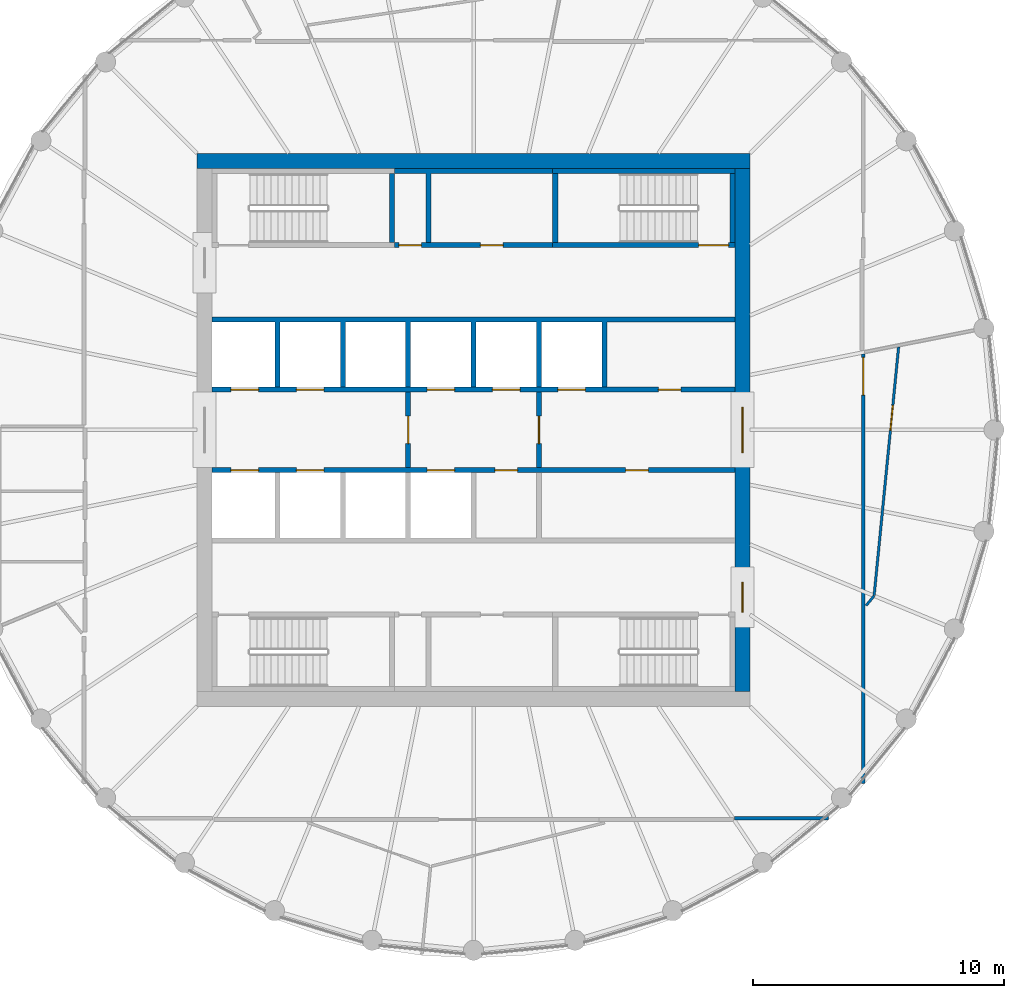
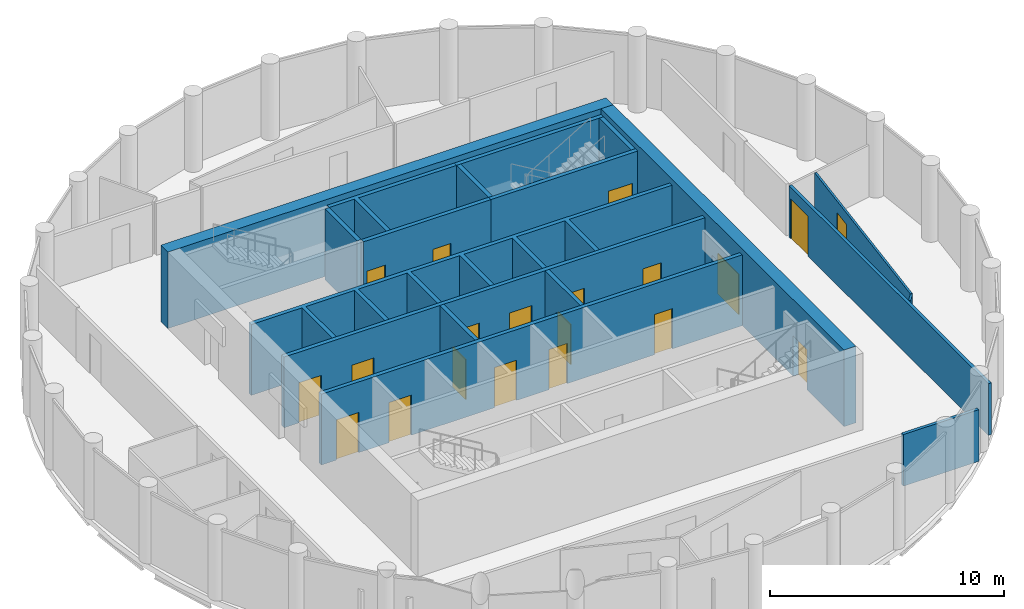
# One storey, part 5 of 7: 20 doors, 18 walls, 20 openings.
"""IFC4 building model written with IfcOpenShell, lengths in metres."""

from ifc_helpers import new_model, si_unit, direction, frame, frame_2d, origin, place, context, subcontext, project, spatial, polyline, rectangle, outline, extrude, material, layer, layer_set, type_object, element, fill, save


model = new_model("IFC4")

# Units and contexts
model_context = context("Model", 3, precision=1e-05, world=origin(), true_north=direction((0.0, 1.0)))
body_context = subcontext(model_context, "Body", "Model", "MODEL_VIEW")
ifc_project = project(units=[si_unit("LENGTHUNIT", "METRE"), si_unit("AREAUNIT", "SQUARE_METRE"), si_unit("VOLUMEUNIT", "CUBIC_METRE"), si_unit("PLANEANGLEUNIT", "RADIAN"), si_unit("MASSUNIT", "GRAM", prefix="KILO")], contexts=[model_context])

# Site, building, storey
site_placement = place(None, origin())
site = spatial("IfcSite", under=ifc_project, at=site_placement, CompositionType="ELEMENT")
building_placement = place(site_placement, origin())
building = spatial("IfcBuilding", under=site, at=building_placement, Name="Corvane Civic Tower", CompositionType="ELEMENT")
storey_placement = place(building_placement, frame((0.0, 0.0, 348.5)))
storey = spatial("IfcBuildingStorey", under=building, at=storey_placement, Name="L83", CompositionType="ELEMENT", Elevation=348.5)

# Wall
ifc_material_1 = material(Name="Concrete C40/50", Category="concrete")
ifc_layer_1 = layer(ifc_material_1, 0.60009765625)
ifc_layer_set_1 = layer_set([ifc_layer_1], Name="Concrete C40/50")
wall_type_1 = type_object("IfcWallType", Name="CORE WALL 600 C40/50", PredefinedType="SHEAR", material=ifc_layer_set_1)
wall_1_placement = place(storey_placement, frame((-11.0, 10.699951171875, 0.0), z_axis=(0.0, 0.0, 1.0), x_axis=(1.0, 0.0, 0.0)))
element("IfcWall", 1, at=wall_1_placement, inside=storey, type_object=wall_type_1, Name="W-L83-core-N", PredefinedType="SHEAR", context=body_context, shape_type="SweptSolid", body=[
    extrude(rectangle(XDim=22.0, YDim=0.60009765625, at=frame_2d((11.0, 0.0))), origin(), (0.0, 0.0, 1.0), 4.0),
])

# Wall, openings, doors
wall_2_placement = place(storey_placement, frame((10.699951171875, -10.39990234375, 0.0), z_axis=(0.0, 0.0, 1.0), x_axis=(0.0, 1.0, 0.0)))
wall_2 = element("IfcWall", 2, at=wall_2_placement, inside=storey, type_object=wall_type_1, Name="W-L83-core-E", PredefinedType="SHEAR", context=body_context, shape_type="SweptSolid", body=[
    extrude(rectangle(XDim=20.7998046875, YDim=0.60009765625, at=frame_2d((10.39990234375, 0.0))), origin(), (0.0, 0.0, 1.0), 4.0),
])
opening_1_placement = place(wall_2_placement, frame((9.5, 0.0, 0.0)))
opening_1 = element("IfcOpeningElement", 3, at=opening_1_placement, cuts=wall_2, Name="Opening L83.C15", PredefinedType="OPENING", context=body_context, shape_type="SweptSolid", body=[
    extrude(rectangle(XDim=1.800048828125, YDim=2.10009765625, at=frame_2d((0.89990234375, 1.050048828125))), frame((0.0, 0.31005859375, 0.0), z_axis=(0.0, -1.0, 0.0), x_axis=(1.0, 0.0, 0.0)), (0.0, 0.0, 1.0), 0.6201171875),
])
opening_2_placement = place(wall_2_placement, frame((3.14990234375, 0.0, 0.0)))
opening_2 = element("IfcOpeningElement", 4, at=opening_2_placement, cuts=wall_2, Name="Opening L83.C17", PredefinedType="OPENING", context=body_context, shape_type="SweptSolid", body=[
    extrude(rectangle(XDim=1.199951171875, YDim=2.10009765625, at=frame_2d((0.60009765625, 1.050048828125))), frame((0.0, 0.31005859375, 0.0), z_axis=(0.0, -1.0, 0.0), x_axis=(1.0, 0.0, 0.0)), (0.0, 0.0, 1.0), 0.6201171875),
])
ifc_material_2 = material(Name="Steel fire door leaf", Category="steel")
door_type_1 = type_object("IfcDoorType", Name="CR-DOOR-CORE-1800", OperationType="DOUBLE_DOOR_SINGLE_SWING", PredefinedType="DOOR", material=ifc_material_2)
door_1_placement = place(opening_1_placement, origin())
door_1 = element("IfcDoor", 5, at=door_1_placement, inside=storey, type_object=door_type_1, Name="L83 door", OperationType="DOUBLE_DOOR_SINGLE_SWING", OverallHeight=2.10009765625, OverallWidth=1.800048828125, PredefinedType="DOOR", context=body_context, shape_type="SweptSolid", body=[
    extrude(rectangle(XDim=1.800048828125, YDim=2.10009765625, at=frame_2d((0.89990234375, 1.050048828125))), frame((0.0, 0.02490234375, 0.0), z_axis=(0.0, -1.0, 0.0), x_axis=(1.0, 0.0, 0.0)), (0.0, 0.0, 1.0), 0.050048828125),
])
fill(opening_1, door_1)
door_2_placement = place(opening_2_placement, origin())
door_2 = element("IfcDoor", 6, at=door_2_placement, inside=storey, type_object=door_type_1, Name="L83 door", OperationType="DOUBLE_DOOR_SINGLE_SWING", OverallHeight=2.10009765625, OverallWidth=1.199951171875, PredefinedType="DOOR", context=body_context, shape_type="SweptSolid", body=[
    extrude(rectangle(XDim=1.199951171875, YDim=2.10009765625, at=frame_2d((0.60009765625, 1.050048828125))), frame((0.0, 0.02490234375, 0.0), z_axis=(0.0, -1.0, 0.0), x_axis=(1.0, 0.0, 0.0)), (0.0, 0.0, 1.0), 0.050048828125),
])
fill(opening_2, door_2)

ifc_material_3 = material(Name="Concrete C30/37", Category="concrete")
ifc_layer_2 = layer(ifc_material_3, 0.199951171875)
ifc_layer_set_2 = layer_set([ifc_layer_2], Name="Concrete C30/37")
wall_type_2 = type_object("IfcWallType", Name="CR-WALL-200", PredefinedType="PARTITIONING", material=ifc_layer_set_2)
wall_3_placement = place(storey_placement, frame((-10.39990234375, -1.60009765625, 0.0), z_axis=(0.0, 0.0, 1.0), x_axis=(1.0, 0.0, 0.0)))
wall_3 = element("IfcWall", 7, at=wall_3_placement, inside=storey, type_object=wall_type_2, Name="L83 lift shaft wall", PredefinedType="PARTITIONING", context=body_context, shape_type="SweptSolid", body=[
    extrude(rectangle(XDim=20.7998046875, YDim=0.199951171875, at=frame_2d((10.39990234375, 0.0))), origin(), (0.0, 0.0, 1.0), 3.699951171875),
])
opening_3_placement = place(wall_3_placement, frame((0.75, 0.0, 0.0)))
opening_3 = element("IfcOpeningElement", 8, at=opening_3_placement, cuts=wall_3, Name="Opening LD", PredefinedType="OPENING", context=body_context, shape_type="SweptSolid", body=[
    extrude(rectangle(XDim=1.10009765625, YDim=2.10009765625, at=frame_2d((0.550048828125, 1.050048828125))), frame((0.0, 0.10986328125, 0.0), z_axis=(0.0, -1.0, 0.0), x_axis=(1.0, 0.0, 0.0)), (0.0, 0.0, 1.0), 0.219970703125),
])
opening_4_placement = place(wall_3_placement, frame((3.35009765625, 0.0, 0.0)))
opening_4 = element("IfcOpeningElement", 9, at=opening_4_placement, cuts=wall_3, Name="Opening LD", PredefinedType="OPENING", context=body_context, shape_type="SweptSolid", body=[
    extrude(rectangle(XDim=1.10009765625, YDim=2.10009765625, at=frame_2d((0.550048828125, 1.050048828125))), frame((0.0, 0.10986328125, 0.0), z_axis=(0.0, -1.0, 0.0), x_axis=(1.0, 0.0, 0.0)), (0.0, 0.0, 1.0), 0.219970703125),
])
opening_5_placement = place(wall_3_placement, frame((8.550048828125, 0.0, 0.0)))
opening_5 = element("IfcOpeningElement", 10, at=opening_5_placement, cuts=wall_3, Name="Opening LD", PredefinedType="OPENING", context=body_context, shape_type="SweptSolid", body=[
    extrude(rectangle(XDim=1.10009765625, YDim=2.10009765625, at=frame_2d((0.550048828125, 1.050048828125))), frame((0.0, 0.10986328125, 0.0), z_axis=(0.0, -1.0, 0.0), x_axis=(1.0, 0.0, 0.0)), (0.0, 0.0, 1.0), 0.219970703125),
])
opening_6_placement = place(wall_3_placement, frame((11.25, 0.0, 0.0)))
opening_6 = element("IfcOpeningElement", 11, at=opening_6_placement, cuts=wall_3, Name="Opening L83.C02", PredefinedType="OPENING", context=body_context, shape_type="SweptSolid", body=[
    extrude(rectangle(XDim=0.89990234375, YDim=2.10009765625, at=frame_2d((0.449951171875, 1.050048828125))), frame((0.0, 0.10986328125, 0.0), z_axis=(0.0, -1.0, 0.0), x_axis=(1.0, 0.0, 0.0)), (0.0, 0.0, 1.0), 0.219970703125),
])
opening_7_placement = place(wall_3_placement, frame((16.449951171875, 0.0, 0.0)))
opening_7 = element("IfcOpeningElement", 12, at=opening_7_placement, cuts=wall_3, Name="Opening L83.C03", PredefinedType="OPENING", context=body_context, shape_type="SweptSolid", body=[
    extrude(rectangle(XDim=0.89990234375, YDim=2.10009765625, at=frame_2d((0.449951171875, 1.050048828125))), frame((0.0, 0.10986328125, 0.0), z_axis=(0.0, -1.0, 0.0), x_axis=(1.0, 0.0, 0.0)), (0.0, 0.0, 1.0), 0.219970703125),
])
ifc_material_4 = material(Name="Steel fire door leaf", Category="steel")
door_type_2 = type_object("IfcDoorType", Name="CR-DOOR-900", OperationType="SINGLE_SWING_LEFT", PredefinedType="DOOR", material=ifc_material_4)
door_3_placement = place(opening_6_placement, origin())
door_3 = element("IfcDoor", 13, at=door_3_placement, inside=storey, type_object=door_type_2, Name="L83 door", OperationType="SINGLE_SWING_LEFT", OverallHeight=2.10009765625, OverallWidth=0.89990234375, PredefinedType="DOOR", context=body_context, shape_type="SweptSolid", body=[
    extrude(rectangle(XDim=0.89990234375, YDim=2.10009765625, at=frame_2d((0.449951171875, 1.050048828125))), frame((0.0, 0.02490234375, 0.0), z_axis=(0.0, -1.0, 0.0), x_axis=(1.0, 0.0, 0.0)), (0.0, 0.0, 1.0), 0.050048828125),
])
fill(opening_6, door_3)
door_4_placement = place(opening_7_placement, origin())
door_4 = element("IfcDoor", 14, at=door_4_placement, inside=storey, type_object=door_type_2, Name="L83 door", OperationType="SINGLE_SWING_LEFT", OverallHeight=2.10009765625, OverallWidth=0.89990234375, PredefinedType="DOOR", context=body_context, shape_type="SweptSolid", body=[
    extrude(rectangle(XDim=0.89990234375, YDim=2.10009765625, at=frame_2d((0.449951171875, 1.050048828125))), frame((0.0, 0.02490234375, 0.0), z_axis=(0.0, -1.0, 0.0), x_axis=(1.0, 0.0, 0.0)), (0.0, 0.0, 1.0), 0.050048828125),
])
fill(opening_7, door_4)
ifc_material_5 = material(Name="Stainless steel 316 door leaves", Category="steel")
door_type_3 = type_object("IfcDoorType", Name="LD", OperationType="DOUBLE_DOOR_SLIDING", PredefinedType="DOOR", material=ifc_material_5)
door_5_placement = place(opening_3_placement, origin())
door_5 = element("IfcDoor", 15, at=door_5_placement, inside=storey, type_object=door_type_3, Name="L83 landing door", OperationType="DOUBLE_DOOR_SLIDING", OverallHeight=2.10009765625, OverallWidth=1.10009765625, PredefinedType="DOOR", context=body_context, shape_type="SweptSolid", body=[
    extrude(rectangle(XDim=1.10009765625, YDim=2.10009765625, at=frame_2d((0.550048828125, 1.050048828125))), frame((0.0, 0.02490234375, 0.0), z_axis=(0.0, -1.0, 0.0), x_axis=(1.0, 0.0, 0.0)), (0.0, 0.0, 1.0), 0.050048828125),
])
fill(opening_3, door_5)
door_6_placement = place(opening_4_placement, origin())
door_6 = element("IfcDoor", 16, at=door_6_placement, inside=storey, type_object=door_type_3, Name="L83 landing door", OperationType="DOUBLE_DOOR_SLIDING", OverallHeight=2.10009765625, OverallWidth=1.10009765625, PredefinedType="DOOR", context=body_context, shape_type="SweptSolid", body=[
    extrude(rectangle(XDim=1.10009765625, YDim=2.10009765625, at=frame_2d((0.550048828125, 1.050048828125))), frame((0.0, 0.02490234375, 0.0), z_axis=(0.0, -1.0, 0.0), x_axis=(1.0, 0.0, 0.0)), (0.0, 0.0, 1.0), 0.050048828125),
])
fill(opening_4, door_6)
door_7_placement = place(opening_5_placement, origin())
door_7 = element("IfcDoor", 17, at=door_7_placement, inside=storey, type_object=door_type_3, Name="L83 landing door", OperationType="DOUBLE_DOOR_SLIDING", OverallHeight=2.10009765625, OverallWidth=1.10009765625, PredefinedType="DOOR", context=body_context, shape_type="SweptSolid", body=[
    extrude(rectangle(XDim=1.10009765625, YDim=2.10009765625, at=frame_2d((0.550048828125, 1.050048828125))), frame((0.0, 0.02490234375, 0.0), z_axis=(0.0, -1.0, 0.0), x_axis=(1.0, 0.0, 0.0)), (0.0, 0.0, 1.0), 0.050048828125),
])
fill(opening_5, door_7)

wall_4_placement = place(storey_placement, frame((-10.39990234375, 1.60009765625, 0.0), z_axis=(0.0, 0.0, 1.0), x_axis=(1.0, 0.0, 0.0)))
wall_4 = element("IfcWall", 18, at=wall_4_placement, inside=storey, type_object=wall_type_2, Name="L83 lift shaft wall", PredefinedType="PARTITIONING", context=body_context, shape_type="SweptSolid", body=[
    extrude(rectangle(XDim=20.7998046875, YDim=0.199951171875, at=frame_2d((10.39990234375, 0.0))), origin(), (0.0, 0.0, 1.0), 3.699951171875),
])
opening_8_placement = place(wall_4_placement, frame((0.75, 0.0, 0.0)))
opening_8 = element("IfcOpeningElement", 19, at=opening_8_placement, cuts=wall_4, Name="Opening LD", PredefinedType="OPENING", context=body_context, shape_type="SweptSolid", body=[
    extrude(rectangle(XDim=1.10009765625, YDim=2.10009765625, at=frame_2d((0.550048828125, 1.050048828125))), frame((0.0, 0.10986328125, 0.0), z_axis=(0.0, -1.0, 0.0), x_axis=(1.0, 0.0, 0.0)), (0.0, 0.0, 1.0), 0.219970703125),
])
opening_9_placement = place(wall_4_placement, frame((3.35009765625, 0.0, 0.0)))
opening_9 = element("IfcOpeningElement", 20, at=opening_9_placement, cuts=wall_4, Name="Opening LD", PredefinedType="OPENING", context=body_context, shape_type="SweptSolid", body=[
    extrude(rectangle(XDim=1.10009765625, YDim=2.10009765625, at=frame_2d((0.550048828125, 1.050048828125))), frame((0.0, 0.10986328125, 0.0), z_axis=(0.0, -1.0, 0.0), x_axis=(1.0, 0.0, 0.0)), (0.0, 0.0, 1.0), 0.219970703125),
])
opening_10_placement = place(wall_4_placement, frame((8.550048828125, 0.0, 0.0)))
opening_10 = element("IfcOpeningElement", 21, at=opening_10_placement, cuts=wall_4, Name="Opening LD", PredefinedType="OPENING", context=body_context, shape_type="SweptSolid", body=[
    extrude(rectangle(XDim=1.10009765625, YDim=2.10009765625, at=frame_2d((0.550048828125, 1.050048828125))), frame((0.0, 0.10986328125, 0.0), z_axis=(0.0, -1.0, 0.0), x_axis=(1.0, 0.0, 0.0)), (0.0, 0.0, 1.0), 0.219970703125),
])
opening_11_placement = place(wall_4_placement, frame((11.14990234375, 0.0, 0.0)))
opening_11 = element("IfcOpeningElement", 22, at=opening_11_placement, cuts=wall_4, Name="Opening LD", PredefinedType="OPENING", context=body_context, shape_type="SweptSolid", body=[
    extrude(rectangle(XDim=1.10009765625, YDim=2.10009765625, at=frame_2d((0.550048828125, 1.050048828125))), frame((0.0, 0.10986328125, 0.0), z_axis=(0.0, -1.0, 0.0), x_axis=(1.0, 0.0, 0.0)), (0.0, 0.0, 1.0), 0.219970703125),
])
opening_12_placement = place(wall_4_placement, frame((13.75, 0.0, 0.0)))
opening_12 = element("IfcOpeningElement", 23, at=opening_12_placement, cuts=wall_4, Name="Opening LD", PredefinedType="OPENING", context=body_context, shape_type="SweptSolid", body=[
    extrude(rectangle(XDim=1.10009765625, YDim=2.10009765625, at=frame_2d((0.550048828125, 1.050048828125))), frame((0.0, 0.10986328125, 0.0), z_axis=(0.0, -1.0, 0.0), x_axis=(1.0, 0.0, 0.0)), (0.0, 0.0, 1.0), 0.219970703125),
])
opening_13_placement = place(wall_4_placement, frame((17.75, 0.0, 0.0)))
opening_13 = element("IfcOpeningElement", 24, at=opening_13_placement, cuts=wall_4, Name="Opening L83.C01", PredefinedType="OPENING", context=body_context, shape_type="SweptSolid", body=[
    extrude(rectangle(XDim=0.89990234375, YDim=2.10009765625, at=frame_2d((0.449951171875, 1.050048828125))), frame((0.0, 0.10986328125, 0.0), z_axis=(0.0, -1.0, 0.0), x_axis=(1.0, 0.0, 0.0)), (0.0, 0.0, 1.0), 0.219970703125),
])
door_8_placement = place(opening_13_placement, origin())
door_8 = element("IfcDoor", 25, at=door_8_placement, inside=storey, type_object=door_type_2, Name="L83 door", OperationType="SINGLE_SWING_LEFT", OverallHeight=2.10009765625, OverallWidth=0.89990234375, PredefinedType="DOOR", context=body_context, shape_type="SweptSolid", body=[
    extrude(rectangle(XDim=0.89990234375, YDim=2.10009765625, at=frame_2d((0.449951171875, 1.050048828125))), frame((0.0, 0.02490234375, 0.0), z_axis=(0.0, -1.0, 0.0), x_axis=(1.0, 0.0, 0.0)), (0.0, 0.0, 1.0), 0.050048828125),
])
fill(opening_13, door_8)
door_9_placement = place(opening_8_placement, origin())
door_9 = element("IfcDoor", 26, at=door_9_placement, inside=storey, type_object=door_type_3, Name="L83 landing door", OperationType="DOUBLE_DOOR_SLIDING", OverallHeight=2.10009765625, OverallWidth=1.10009765625, PredefinedType="DOOR", context=body_context, shape_type="SweptSolid", body=[
    extrude(rectangle(XDim=1.10009765625, YDim=2.10009765625, at=frame_2d((0.550048828125, 1.050048828125))), frame((0.0, 0.02490234375, 0.0), z_axis=(0.0, -1.0, 0.0), x_axis=(1.0, 0.0, 0.0)), (0.0, 0.0, 1.0), 0.050048828125),
])
fill(opening_8, door_9)
door_10_placement = place(opening_9_placement, origin())
door_10 = element("IfcDoor", 27, at=door_10_placement, inside=storey, type_object=door_type_3, Name="L83 landing door", OperationType="DOUBLE_DOOR_SLIDING", OverallHeight=2.10009765625, OverallWidth=1.10009765625, PredefinedType="DOOR", context=body_context, shape_type="SweptSolid", body=[
    extrude(rectangle(XDim=1.10009765625, YDim=2.10009765625, at=frame_2d((0.550048828125, 1.050048828125))), frame((0.0, 0.02490234375, 0.0), z_axis=(0.0, -1.0, 0.0), x_axis=(1.0, 0.0, 0.0)), (0.0, 0.0, 1.0), 0.050048828125),
])
fill(opening_9, door_10)
door_11_placement = place(opening_10_placement, origin())
door_11 = element("IfcDoor", 28, at=door_11_placement, inside=storey, type_object=door_type_3, Name="L83 landing door", OperationType="DOUBLE_DOOR_SLIDING", OverallHeight=2.10009765625, OverallWidth=1.10009765625, PredefinedType="DOOR", context=body_context, shape_type="SweptSolid", body=[
    extrude(rectangle(XDim=1.10009765625, YDim=2.10009765625, at=frame_2d((0.550048828125, 1.050048828125))), frame((0.0, 0.02490234375, 0.0), z_axis=(0.0, -1.0, 0.0), x_axis=(1.0, 0.0, 0.0)), (0.0, 0.0, 1.0), 0.050048828125),
])
fill(opening_10, door_11)
door_12_placement = place(opening_11_placement, origin())
door_12 = element("IfcDoor", 29, at=door_12_placement, inside=storey, type_object=door_type_3, Name="L83 landing door", OperationType="DOUBLE_DOOR_SLIDING", OverallHeight=2.10009765625, OverallWidth=1.10009765625, PredefinedType="DOOR", context=body_context, shape_type="SweptSolid", body=[
    extrude(rectangle(XDim=1.10009765625, YDim=2.10009765625, at=frame_2d((0.550048828125, 1.050048828125))), frame((0.0, 0.02490234375, 0.0), z_axis=(0.0, -1.0, 0.0), x_axis=(1.0, 0.0, 0.0)), (0.0, 0.0, 1.0), 0.050048828125),
])
fill(opening_11, door_12)
door_13_placement = place(opening_12_placement, origin())
door_13 = element("IfcDoor", 30, at=door_13_placement, inside=storey, type_object=door_type_3, Name="L83 landing door", OperationType="DOUBLE_DOOR_SLIDING", OverallHeight=2.10009765625, OverallWidth=1.10009765625, PredefinedType="DOOR", context=body_context, shape_type="SweptSolid", body=[
    extrude(rectangle(XDim=1.10009765625, YDim=2.10009765625, at=frame_2d((0.550048828125, 1.050048828125))), frame((0.0, 0.02490234375, 0.0), z_axis=(0.0, -1.0, 0.0), x_axis=(1.0, 0.0, 0.0)), (0.0, 0.0, 1.0), 0.050048828125),
])
fill(opening_12, door_13)

wall_5_placement = place(storey_placement, frame((-3.14990234375, 7.35009765625, 0.0), z_axis=(0.0, 0.0, 1.0), x_axis=(1.0, 0.0, 0.0)))
wall_5 = element("IfcWall", 31, at=wall_5_placement, inside=storey, type_object=wall_type_2, Name="L83 core partition wall", PredefinedType="PARTITIONING", context=body_context, shape_type="SweptSolid", body=[
    extrude(rectangle(XDim=6.2998046875, YDim=0.199951171875, at=frame_2d((3.14990234375, 0.0))), origin(), (0.0, 0.0, 1.0), 3.699951171875),
])
opening_14_placement = place(wall_5_placement, frame((0.175048828125, 0.0, 0.0)))
opening_14 = element("IfcOpeningElement", 32, at=opening_14_placement, cuts=wall_5, Name="Opening L83.C04", PredefinedType="OPENING", context=body_context, shape_type="SweptSolid", body=[
    extrude(rectangle(XDim=0.89990234375, YDim=2.10009765625, at=frame_2d((0.449951171875, 1.050048828125))), frame((0.0, 0.10986328125, 0.0), z_axis=(0.0, -1.0, 0.0), x_axis=(1.0, 0.0, 0.0)), (0.0, 0.0, 1.0), 0.219970703125),
])
opening_15_placement = place(wall_5_placement, frame((3.425048828125, 0.0, 0.0)))
opening_15 = element("IfcOpeningElement", 33, at=opening_15_placement, cuts=wall_5, Name="Opening L83.C05", PredefinedType="OPENING", context=body_context, shape_type="SweptSolid", body=[
    extrude(rectangle(XDim=0.89990234375, YDim=2.10009765625, at=frame_2d((0.449951171875, 1.050048828125))), frame((0.0, 0.10986328125, 0.0), z_axis=(0.0, -1.0, 0.0), x_axis=(1.0, 0.0, 0.0)), (0.0, 0.0, 1.0), 0.219970703125),
])
door_14_placement = place(opening_14_placement, origin())
door_14 = element("IfcDoor", 34, at=door_14_placement, inside=storey, type_object=door_type_2, Name="L83 door", OperationType="SINGLE_SWING_LEFT", OverallHeight=2.10009765625, OverallWidth=0.89990234375, PredefinedType="DOOR", context=body_context, shape_type="SweptSolid", body=[
    extrude(rectangle(XDim=0.89990234375, YDim=2.10009765625, at=frame_2d((0.449951171875, 1.050048828125))), frame((0.0, 0.02490234375, 0.0), z_axis=(0.0, -1.0, 0.0), x_axis=(1.0, 0.0, 0.0)), (0.0, 0.0, 1.0), 0.050048828125),
])
fill(opening_14, door_14)
door_15_placement = place(opening_15_placement, origin())
door_15 = element("IfcDoor", 35, at=door_15_placement, inside=storey, type_object=door_type_2, Name="L83 door", OperationType="SINGLE_SWING_LEFT", OverallHeight=2.10009765625, OverallWidth=0.89990234375, PredefinedType="DOOR", context=body_context, shape_type="SweptSolid", body=[
    extrude(rectangle(XDim=0.89990234375, YDim=2.10009765625, at=frame_2d((0.449951171875, 1.050048828125))), frame((0.0, 0.02490234375, 0.0), z_axis=(0.0, -1.0, 0.0), x_axis=(1.0, 0.0, 0.0)), (0.0, 0.0, 1.0), 0.050048828125),
])
fill(opening_15, door_15)

# Wall, opening, door
wall_6_placement = place(storey_placement, frame((-2.60009765625, -1.5, 0.0), z_axis=(0.0, 0.0, 1.0), x_axis=(0.0, 1.0, 0.0)))
wall_6 = element("IfcWall", 36, at=wall_6_placement, inside=storey, type_object=wall_type_2, Name="L83 firefighting lobby wall", PredefinedType="PARTITIONING", context=body_context, shape_type="SweptSolid", body=[
    extrude(rectangle(XDim=3.0, YDim=0.199951171875, at=frame_2d((1.5, 0.0))), origin(), (0.0, 0.0, 1.0), 3.699951171875),
])
opening_16_placement = place(wall_6_placement, frame((0.949951171875, 0.0, 0.0)))
opening_16 = element("IfcOpeningElement", 37, at=opening_16_placement, cuts=wall_6, Name="Opening L83.C12", PredefinedType="OPENING", context=body_context, shape_type="SweptSolid", body=[
    extrude(rectangle(XDim=1.10009765625, YDim=2.10009765625, at=frame_2d((0.550048828125, 1.050048828125))), frame((0.0, 0.10986328125, 0.0), z_axis=(0.0, -1.0, 0.0), x_axis=(1.0, 0.0, 0.0)), (0.0, 0.0, 1.0), 0.219970703125),
])
ifc_material_6 = material(Name="Steel fire door leaf", Category="steel")
door_type_4 = type_object("IfcDoorType", Name="CR-DOOR-FFL-1100", OperationType="SINGLE_SWING_LEFT", PredefinedType="DOOR", material=ifc_material_6)
door_16_placement = place(opening_16_placement, origin())
door_16 = element("IfcDoor", 38, at=door_16_placement, inside=storey, type_object=door_type_4, Name="L83 lobby door", OperationType="SINGLE_SWING_LEFT", OverallHeight=2.10009765625, OverallWidth=1.10009765625, PredefinedType="DOOR", context=body_context, shape_type="SweptSolid", body=[
    extrude(rectangle(XDim=1.10009765625, YDim=2.10009765625, at=frame_2d((0.550048828125, 1.050048828125))), frame((0.0, 0.02490234375, 0.0), z_axis=(0.0, -1.0, 0.0), x_axis=(1.0, 0.0, 0.0)), (0.0, 0.0, 1.0), 0.050048828125),
])
fill(opening_16, door_16)

wall_7_placement = place(storey_placement, frame((2.60009765625, -1.5, 0.0), z_axis=(0.0, 0.0, 1.0), x_axis=(0.0, 1.0, 0.0)))
wall_7 = element("IfcWall", 39, at=wall_7_placement, inside=storey, type_object=wall_type_2, Name="L83 firefighting lobby wall", PredefinedType="PARTITIONING", context=body_context, shape_type="SweptSolid", body=[
    extrude(rectangle(XDim=3.0, YDim=0.199951171875, at=frame_2d((1.5, 0.0))), origin(), (0.0, 0.0, 1.0), 3.699951171875),
])
opening_17_placement = place(wall_7_placement, frame((0.949951171875, 0.0, 0.0)))
opening_17 = element("IfcOpeningElement", 40, at=opening_17_placement, cuts=wall_7, Name="Opening L83.C13", PredefinedType="OPENING", context=body_context, shape_type="SweptSolid", body=[
    extrude(rectangle(XDim=1.10009765625, YDim=2.10009765625, at=frame_2d((0.550048828125, 1.050048828125))), frame((0.0, 0.10986328125, 0.0), z_axis=(0.0, -1.0, 0.0), x_axis=(1.0, 0.0, 0.0)), (0.0, 0.0, 1.0), 0.219970703125),
])
door_17_placement = place(opening_17_placement, origin())
door_17 = element("IfcDoor", 41, at=door_17_placement, inside=storey, type_object=door_type_4, Name="L83 lobby door", OperationType="SINGLE_SWING_LEFT", OverallHeight=2.10009765625, OverallWidth=1.10009765625, PredefinedType="DOOR", context=body_context, shape_type="SweptSolid", body=[
    extrude(rectangle(XDim=1.10009765625, YDim=2.10009765625, at=frame_2d((0.550048828125, 1.050048828125))), frame((0.0, 0.02490234375, 0.0), z_axis=(0.0, -1.0, 0.0), x_axis=(1.0, 0.0, 0.0)), (0.0, 0.0, 1.0), 0.050048828125),
])
fill(opening_17, door_17)

# Walls
wall_8_placement = place(storey_placement, origin())
element("IfcWall", 42, at=wall_8_placement, inside=storey, type_object=wall_type_2, Name="L83 core partition wall", PredefinedType="PARTITIONING", context=body_context, shape_type="SweptSolid", body=[
    extrude(outline(polyline([(-7.699951171875, 1.699951171875), (-7.89990234375, 1.699951171875), (-7.89990234375, 4.300048828125), (-10.39990234375, 4.300048828125), (-10.39990234375, 4.5), (10.39990234375, 4.5), (10.39990234375, 4.300048828125), (5.300048828125, 4.300048828125), (5.300048828125, 1.699951171875), (5.10009765625, 1.699951171875), (5.10009765625, 4.300048828125), (2.699951171875, 4.300048828125), (2.699951171875, 1.699951171875), (2.5, 1.699951171875), (2.5, 4.300048828125), (0.10009765625, 4.300048828125), (0.10009765625, 1.699951171875), (-0.10009765625, 1.699951171875), (-0.10009765625, 4.300048828125), (-2.5, 4.300048828125), (-2.5, 1.699951171875), (-2.699951171875, 1.699951171875), (-2.699951171875, 4.300048828125), (-5.10009765625, 4.300048828125), (-5.10009765625, 1.699951171875), (-5.300048828125, 1.699951171875), (-5.300048828125, 4.300048828125), (-7.699951171875, 4.300048828125), (-7.699951171875, 1.699951171875)])), origin(), (0.0, 0.0, 1.0), 3.699951171875),
])
wall_9_placement = place(storey_placement, origin())
element("IfcWall", 43, at=wall_9_placement, inside=storey, type_object=wall_type_2, Name="L83 core partition wall", PredefinedType="PARTITIONING", context=body_context, shape_type="SweptSolid", body=[
    extrude(outline(polyline([(-1.699951171875, 7.449951171875), (-1.89990234375, 7.449951171875), (-1.89990234375, 10.199951171875), (-3.14990234375, 10.199951171875), (-3.14990234375, 10.39990234375), (3.14990234375, 10.39990234375), (3.14990234375, 10.199951171875), (-1.699951171875, 10.199951171875), (-1.699951171875, 7.449951171875)])), origin(), (0.0, 0.0, 1.0), 3.699951171875),
])

# Wall, opening, door
ifc_material_7 = material(Name="Plasterboard")
ifc_layer_3 = layer(ifc_material_7, 0.10009765625)
ifc_layer_set_3 = layer_set([ifc_layer_3], Name="Plasterboard")
wall_type_3 = type_object("IfcWallType", Name="Partition 100 plasterboard on studs", PredefinedType="PARTITIONING", material=ifc_layer_set_3)
wall_10_placement = place(storey_placement, frame((15.934326171875, -6.58447265625, 0.0), z_axis=(0.0, 0.0, 1.0), x_axis=(0.098028389358, 0.995183618675, 0.0)))
wall_10 = element("IfcWall", 44, at=wall_10_placement, inside=storey, type_object=wall_type_3, Name="Partition L83.015", PredefinedType="PARTITIONING", context=body_context, shape_type="SweptSolid", body=[
    extrude(rectangle(XDim=9.9296875, YDim=0.10009765625, at=frame_2d((4.96484375, 0.0))), origin(), (0.0, 0.0, 1.0), 2.699951171875),
])
opening_18_placement = place(wall_10_placement, frame((6.593994140625, 0.0, 0.0)))
opening_18 = element("IfcOpeningElement", 45, at=opening_18_placement, cuts=wall_10, Name="Opening L83.001", PredefinedType="OPENING", context=body_context, shape_type="SweptSolid", body=[
    extrude(rectangle(XDim=1.0, YDim=2.10009765625, at=frame_2d((0.5, 1.050048828125))), frame((0.0, 0.06005859375, 0.0), z_axis=(0.0, -1.0, 0.0), x_axis=(1.0, 0.0, 0.0)), (0.0, 0.0, 1.0), 0.1201171875),
])
ifc_material_8 = material(Name="Timber", Category="wood")
door_type_5 = type_object("IfcDoorType", Name="Single door 1000", OperationType="NOTDEFINED", PredefinedType="DOOR", material=ifc_material_8)
door_18_placement = place(opening_18_placement, frame((1.0, 0.0, 0.0), z_axis=(0.0, 0.0, 1.0), x_axis=(-1.0, 0.0, 0.0)))
door_18 = element("IfcDoor", 46, at=door_18_placement, inside=storey, type_object=door_type_5, Name="Door L83.001", OperationType="SINGLE_SWING_LEFT", OverallHeight=2.10009765625, OverallWidth=1.0, PredefinedType="DOOR", context=body_context, shape_type="SweptSolid", body=[
    extrude(rectangle(XDim=1.0, YDim=2.10009765625, at=frame_2d((0.5, 1.050048828125))), frame((0.0, 0.02490234375, 0.0), z_axis=(0.0, -1.0, 0.0), x_axis=(1.0, 0.0, 0.0)), (0.0, 0.0, 1.0), 0.050048828125),
])
fill(opening_18, door_18)

# Wall
wall_11_placement = place(storey_placement, frame((15.614990234375, -6.987060546875, 0.0), z_axis=(0.0, 0.0, 1.0), x_axis=(0.634271819433, 0.773110120922, 0.0)))
element("IfcWall", 47, at=wall_11_placement, inside=storey, type_object=wall_type_3, Name="Partition L83.034", PredefinedType="PARTITIONING", context=body_context, shape_type="SweptSolid", body=[
    extrude(rectangle(XDim=0.501220703125, YDim=0.10009765625, at=frame_2d((0.25048828125, 0.0))), origin(), (0.0, 0.0, 1.0), 2.699951171875),
])

# Wall, opening, door
ifc_material_9 = material(Name="Concrete C50/60", Category="concrete")
ifc_layer_4 = layer(ifc_material_9, 0.199951171875)
ifc_layer_set_4 = layer_set([ifc_layer_4], Name="Concrete C50/60")
wall_type_4 = type_object("IfcWallType", Name="ST-WALL-200", PredefinedType="SHEAR", material=ifc_layer_set_4)
wall_12_placement = place(storey_placement, frame((3.14990234375, 7.35009765625, 0.0), z_axis=(0.0, 0.0, 1.0), x_axis=(1.0, 0.0, 0.0)))
wall_12 = element("IfcWall", 48, at=wall_12_placement, inside=storey, type_object=wall_type_4, Name="L83 stair enclosure wall", PredefinedType="SHEAR", context=body_context, shape_type="SweptSolid", body=[
    extrude(rectangle(XDim=7.25, YDim=0.199951171875, at=frame_2d((3.625, 0.0))), origin(), (0.0, 0.0, 1.0), 3.699951171875),
])
opening_19_placement = place(wall_12_placement, frame((5.800048828125, 0.0, 0.0)))
opening_19 = element("IfcOpeningElement", 49, at=opening_19_placement, cuts=wall_12, Name="Opening L83.C08", PredefinedType="OPENING", context=body_context, shape_type="SweptSolid", body=[
    extrude(rectangle(XDim=1.199951171875, YDim=2.10009765625, at=frame_2d((0.60009765625, 1.050048828125))), frame((0.0, 0.10986328125, 0.0), z_axis=(0.0, -1.0, 0.0), x_axis=(1.0, 0.0, 0.0)), (0.0, 0.0, 1.0), 0.219970703125),
])
ifc_material_10 = material(Name="Steel fire door leaf", Category="steel")
door_type_6 = type_object("IfcDoorType", Name="ST-DOOR-1200", OperationType="SINGLE_SWING_RIGHT", PredefinedType="DOOR", material=ifc_material_10)
door_19_placement = place(opening_19_placement, origin())
door_19 = element("IfcDoor", 50, at=door_19_placement, inside=storey, type_object=door_type_6, Name="L83 stair door", OperationType="SINGLE_SWING_RIGHT", OverallHeight=2.10009765625, OverallWidth=1.199951171875, PredefinedType="DOOR", context=body_context, shape_type="SweptSolid", body=[
    extrude(rectangle(XDim=1.199951171875, YDim=2.10009765625, at=frame_2d((0.60009765625, 1.050048828125))), frame((0.0, 0.02490234375, 0.0), z_axis=(0.0, -1.0, 0.0), x_axis=(1.0, 0.0, 0.0)), (0.0, 0.0, 1.0), 0.050048828125),
])
fill(opening_19, door_19)

# Walls
wall_13_placement = place(storey_placement, origin())
element("IfcWall", 51, at=wall_13_placement, inside=storey, type_object=wall_type_4, Name="L83 stair enclosure wall", PredefinedType="SHEAR", context=body_context, shape_type="SweptSolid", body=[
    extrude(outline(polyline([(10.39990234375, 10.199951171875), (3.14990234375, 10.199951171875), (3.14990234375, 10.39990234375), (10.39990234375, 10.39990234375), (10.39990234375, 10.199951171875)])), origin(), (0.0, 0.0, 1.0), 3.699951171875),
])
wall_14_placement = place(storey_placement, origin())
element("IfcWall", 52, at=wall_14_placement, inside=storey, type_object=wall_type_4, Name="L83 stair enclosure wall", PredefinedType="SHEAR", context=body_context, shape_type="SweptSolid", body=[
    extrude(outline(polyline([(-3.14990234375, 7.449951171875), (-3.35009765625, 7.449951171875), (-3.35009765625, 10.199951171875), (-3.14990234375, 10.199951171875), (-3.14990234375, 7.449951171875)])), origin(), (0.0, 0.0, 1.0), 3.699951171875),
])
wall_15_placement = place(storey_placement, origin())
element("IfcWall", 53, at=wall_15_placement, inside=storey, type_object=wall_type_4, Name="L83 stair enclosure wall", PredefinedType="SHEAR", context=body_context, shape_type="SweptSolid", body=[
    extrude(outline(polyline([(3.35009765625, 7.449951171875), (3.14990234375, 7.449951171875), (3.14990234375, 10.199951171875), (3.35009765625, 10.199951171875), (3.35009765625, 7.449951171875)])), origin(), (0.0, 0.0, 1.0), 3.699951171875),
])
wall_16_placement = place(storey_placement, origin())
element("IfcWall", 54, at=wall_16_placement, inside=storey, type_object=wall_type_4, Name="L83 stair enclosure wall", PredefinedType="SHEAR", context=body_context, shape_type="SweptSolid", body=[
    extrude(outline(polyline([(10.39990234375, 7.449951171875), (10.199951171875, 7.449951171875), (10.199951171875, 10.199951171875), (10.39990234375, 10.199951171875), (10.39990234375, 7.449951171875)])), origin(), (0.0, 0.0, 1.0), 3.699951171875),
])
ifc_material_11 = material(Name="Plasterboard")
ifc_layer_5 = layer(ifc_material_11, 0.14990234375)
ifc_layer_set_5 = layer_set([ifc_layer_5], Name="Plasterboard")
wall_type_5 = type_object("IfcWallType", Name="Tenancy wall 150 EI 60", PredefinedType="PARTITIONING", material=ifc_layer_set_5)
wall_17_placement = place(storey_placement, frame((10.380859375, -15.449951171875, 0.0), z_axis=(0.0, 0.0, 1.0), x_axis=(1.0, 0.0, 0.0)))
element("IfcWall", 55, at=wall_17_placement, inside=storey, type_object=wall_type_5, Name="Partition L83.008", PredefinedType="PARTITIONING", context=body_context, shape_type="SweptSolid", body=[
    extrude(rectangle(XDim=3.7314453125, YDim=0.14990234375, at=frame_2d((1.86572265625, 0.0))), origin(), (0.0, 0.0, 1.0), 2.699951171875),
])

# Wall, opening, door
wall_18_placement = place(storey_placement, frame((15.5, -14.05712890625, 0.0), z_axis=(0.0, 0.0, 1.0), x_axis=(0.0, 1.0, 0.0)))
wall_18 = element("IfcWall", 56, at=wall_18_placement, inside=storey, type_object=wall_type_5, Name="Partition L83.010", PredefinedType="PARTITIONING", context=body_context, shape_type="SweptSolid", body=[
    extrude(rectangle(XDim=17.07861328125, YDim=0.14990234375, at=frame_2d((8.539306640625, 0.0))), origin(), (0.0, 0.0, 1.0), 2.699951171875),
])
opening_20_placement = place(wall_18_placement, frame((15.44140625, 0.0, 0.0)))
opening_20 = element("IfcOpeningElement", 57, at=opening_20_placement, cuts=wall_18, Name="Opening L83.002", PredefinedType="OPENING", context=body_context, shape_type="SweptSolid", body=[
    extrude(rectangle(XDim=1.5, YDim=2.10009765625, at=frame_2d((0.75, 1.050048828125))), frame((0.0, 0.0849609375, 0.0), z_axis=(0.0, -1.0, 0.0), x_axis=(1.0, 0.0, 0.0)), (0.0, 0.0, 1.0), 0.169921875),
])
ifc_material_12 = material(Name="Steel and timber", Category="steel")
door_type_7 = type_object("IfcDoorType", Name="Fire door FD60 double 1500", OperationType="NOTDEFINED", PredefinedType="DOOR", material=ifc_material_12)
door_20_placement = place(opening_20_placement, frame((1.5, 0.0, 0.0), z_axis=(0.0, 0.0, 1.0), x_axis=(-1.0, 0.0, 0.0)))
door_20 = element("IfcDoor", 58, at=door_20_placement, inside=storey, type_object=door_type_7, Name="Door L83.002", OperationType="DOUBLE_DOOR_SINGLE_SWING", OverallHeight=2.10009765625, OverallWidth=1.5, PredefinedType="DOOR", context=body_context, shape_type="SweptSolid", body=[
    extrude(rectangle(XDim=1.5, YDim=2.10009765625, at=frame_2d((0.75, 1.050048828125))), frame((0.0, 0.02490234375, 0.0), z_axis=(0.0, -1.0, 0.0), x_axis=(1.0, 0.0, 0.0)), (0.0, 0.0, 1.0), 0.050048828125),
])
fill(opening_20, door_20)

save(model, "model.ifc")
